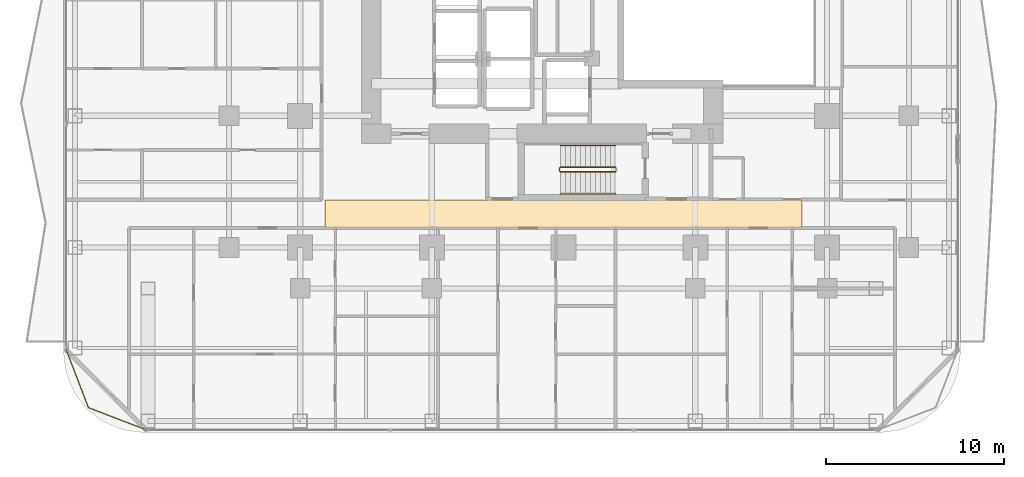
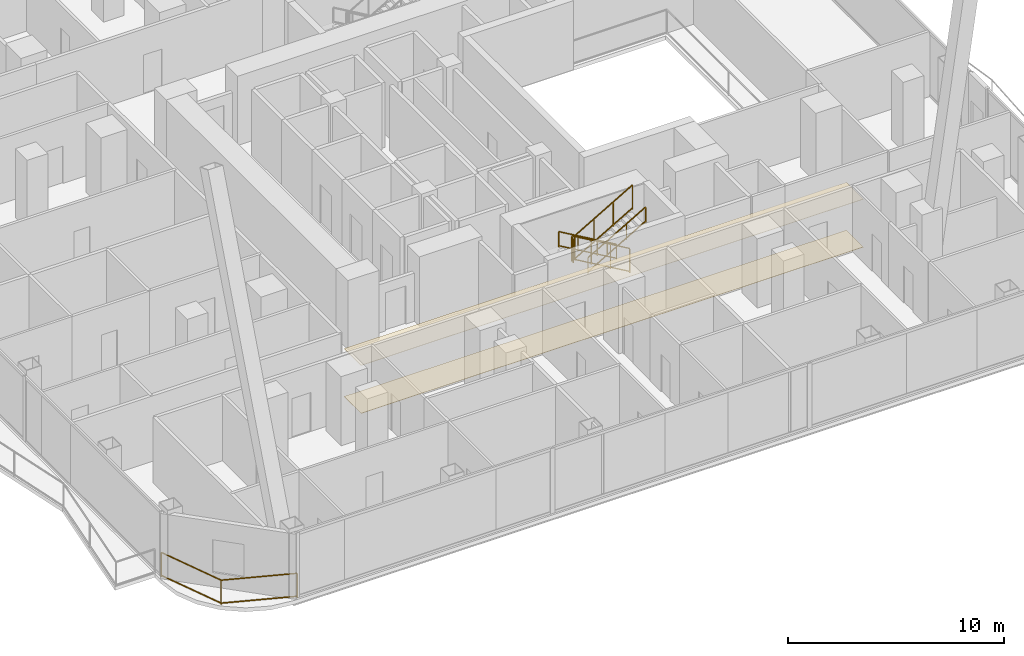
# One storey, part 29 of 33: 6 railings, 2 coverings.
"""IFC4 building model written with IfcOpenShell, lengths in metres."""

from ifc_helpers import new_model, si_unit, direction, frame, origin, origin_2d, place, context, subcontext, project, spatial, polyline, rectangle, outline, extrude, material, layer, layer_set, type_object, element, save


model = new_model("IFC4")

# Units and contexts
model_context = context("Model", 3, precision=1e-05, world=origin(), true_north=direction((0.0, 1.0)))
body_context = subcontext(model_context, "Body", "Model", "MODEL_VIEW")
ifc_project = project(units=[si_unit("LENGTHUNIT", "METRE"), si_unit("AREAUNIT", "SQUARE_METRE"), si_unit("VOLUMEUNIT", "CUBIC_METRE"), si_unit("PLANEANGLEUNIT", "RADIAN"), si_unit("MASSUNIT", "GRAM", prefix="KILO")], contexts=[model_context])

# Site, building, storey
site_placement = place(None, origin())
site = spatial("IfcSite", under=ifc_project, at=site_placement, CompositionType="ELEMENT")
building_placement = place(site_placement, origin())
building = spatial("IfcBuilding", under=site, at=building_placement, Name="Khorvyn Point Tower", CompositionType="ELEMENT")
storey_placement = place(building_placement, frame((0.0, 0.0, 65.699951171875)))
storey = spatial("IfcBuildingStorey", under=building, at=storey_placement, Name="L17", CompositionType="ELEMENT", Elevation=65.699951171875)

# Railing
ifc_material_1 = material(Name="Anodised aluminium 6063-T6 and laminated safety glass", Category="aluminium")
railing_type_1 = type_object("IfcRailingType", Name="Laminated Glass and Aluminium Balcony Guardrail 1400", PredefinedType="BALUSTRADE", material=ifc_material_1)
railing_1_placement = place(storey_placement, frame((-27.97412109375, -20.470703125, 0.0)))
element("IfcRailing", 1, at=railing_1_placement, inside=storey, type_object=railing_type_1, Name="L17 Rounded Corner Edge Guardrail SW", PredefinedType="BALUSTRADE", context=body_context, shape_type="SweptSolid", body=[
    extrude(rectangle(XDim=0.048095703125, YDim=0.048095703125, at=origin_2d()), frame((0.0, 0.0, 1.3759765625), z_axis=(0.35841886047, -0.933560882031, 0.0), x_axis=(0.933560882031, 0.35841886047, 0.0)), (0.0, 0.0, 1.0), 3.563232421875),
    extrude(rectangle(XDim=0.048095703125, YDim=0.048095703125, at=origin_2d()), frame((0.0, 0.0, 0.080078125), z_axis=(0.35841886047, -0.933560882031, 0.0), x_axis=(0.933560882031, 0.35841886047, 0.0)), (0.0, 0.0, 1.0), 3.563232421875),
    extrude(rectangle(XDim=0.048095703125, YDim=0.048095703125, at=origin_2d()), frame((1.277099609375, -3.326416015625, 1.3759765625), z_axis=(0.933575007025, -0.358382067435, 0.0), x_axis=(0.358382067435, 0.933575007025, 0.0)), (0.0, 0.0, 1.0), 3.562744140625),
    extrude(rectangle(XDim=0.048095703125, YDim=0.048095703125, at=origin_2d()), frame((1.277099609375, -3.326416015625, 0.080078125), z_axis=(0.933575007025, -0.358382067435, 0.0), x_axis=(0.358382067435, 0.933575007025, 0.0)), (0.0, 0.0, 1.0), 3.562744140625),
    extrude(rectangle(XDim=0.0419921875, YDim=0.0419921875, at=origin_2d()), origin(), (0.0, 0.0, 1.0), 1.351806640625),
    extrude(rectangle(XDim=0.0419921875, YDim=0.0419921875, at=origin_2d()), frame((1.277099609375, -3.326416015625, 0.0)), (0.0, 0.0, 1.0), 1.351806640625),
    extrude(rectangle(XDim=0.0419921875, YDim=0.0419921875, at=origin_2d()), frame((4.603271484375, -4.603271484375, 0.0)), (0.0, 0.0, 1.0), 1.351806640625),
])

# Coverings
ifc_material_2 = material(Name="Mineral-fibre acoustic ceiling board", Category="gypsum")
ifc_layer_1 = layer(ifc_material_2, 0.02001953125)
ifc_layer_set_1 = layer_set([ifc_layer_1], Name="Perforated Mineral-Fibre Acoustic Suspended Ceiling 20")
covering_type_1 = type_object("IfcCoveringType", Name="Perforated Mineral-Fibre Acoustic Suspended Ceiling 20", PredefinedType="CEILING", material=ifc_layer_set_1)
covering_1_placement = place(storey_placement, frame((0.0, 0.0, 2.699951171875)))
element("IfcCovering", 2, at=covering_1_placement, inside=storey, type_object=covering_type_1, Name="L17 South Corridor Acoustic Ceiling", PredefinedType="CEILING", context=body_context, shape_type="SweptSolid", body=[
    extrude(outline(polyline([(-13.39990234375, -13.7099609375), (13.39990234375, -13.7099609375), (13.39990234375, -12.139892578125), (-13.39990234375, -12.139892578125), (-13.39990234375, -13.7099609375)])), origin(), (0.0, 0.0, 1.0), 0.02001953125),
])
ifc_material_3 = material(Name="Vitrified porcelain terrazzo tile", Category="ceramic")
ifc_layer_2 = layer(ifc_material_3, 0.01806640625)
ifc_layer_set_2 = layer_set([ifc_layer_2], Name="Porcelain Terrazzo Corridor Floor Finish Tile 18")
covering_type_2 = type_object("IfcCoveringType", Name="Porcelain Terrazzo Corridor Floor Finish Tile 18", PredefinedType="FLOORING", material=ifc_layer_set_2)
covering_2_placement = place(storey_placement, origin())
element("IfcCovering", 3, at=covering_2_placement, inside=storey, type_object=covering_type_2, Name="L17 South Corridor Terrazzo Flooring", PredefinedType="FLOORING", context=body_context, shape_type="SweptSolid", body=[
    extrude(outline(polyline([(-13.39990234375, -13.7099609375), (13.39990234375, -13.7099609375), (13.39990234375, -12.139892578125), (-13.39990234375, -12.139892578125), (-13.39990234375, -13.7099609375)])), origin(), (0.0, 0.0, 1.0), 0.01806640625),
])

# Railings
ifc_material_4 = material(Name="Stainless steel 1.4301", Category="steel")
railing_type_2 = type_object("IfcRailingType", Name="Stainless Steel 304 Stair Pitch Handrail 900", PredefinedType="HANDRAIL", material=ifc_material_4)
railing_2_placement = place(storey_placement, frame((2.89990234375, -9.070068359375, 0.16259765625)))
element("IfcRailing", 4, at=railing_2_placement, inside=storey, type_object=railing_type_2, Name="L17 ST-01 stair handrail 1", PredefinedType="HANDRAIL", context=body_context, shape_type="SweptSolid", body=[
    extrude(rectangle(XDim=0.048095703125, YDim=0.048095703125, at=origin_2d()), frame((0.0, 0.0, 0.8759765625), z_axis=(-0.864903211148, 0.0, 0.501938676878), x_axis=(0.0, -1.0, 0.0)), (0.0, 0.0, 1.0), 3.560791015625),
    extrude(rectangle(XDim=0.048095703125, YDim=0.048095703125, at=origin_2d()), frame((0.0, 0.0, 0.080078125), z_axis=(-0.864903211148, 0.0, 0.501938676878), x_axis=(0.0, -1.0, 0.0)), (0.0, 0.0, 1.0), 3.560791015625),
    extrude(rectangle(XDim=0.0419921875, YDim=0.0419921875, at=origin_2d()), origin(), (0.0, 0.0, 1.0), 0.851806640625),
    extrude(rectangle(XDim=0.0419921875, YDim=0.0419921875, at=origin_2d()), frame((-1.026611328125, 0.0, 0.595703125)), (0.0, 0.0, 1.0), 0.851806640625),
    extrude(rectangle(XDim=0.0419921875, YDim=0.0419921875, at=origin_2d()), frame((-2.05322265625, 0.0, 1.191650390625)), (0.0, 0.0, 1.0), 0.851806640625),
    extrude(rectangle(XDim=0.0419921875, YDim=0.0419921875, at=origin_2d()), frame((-3.079833984375, 0.0, 1.787353515625)), (0.0, 0.0, 1.0), 0.851806640625),
])
railing_3_placement = place(storey_placement, frame((-0.179931640625, -11.77001953125, 2.112548828125)))
element("IfcRailing", 5, at=railing_3_placement, inside=storey, type_object=railing_type_2, Name="L17 ST-01 stair handrail 2", PredefinedType="HANDRAIL", context=body_context, shape_type="SweptSolid", body=[
    extrude(rectangle(XDim=0.048095703125, YDim=0.048095703125, at=origin_2d()), frame((0.0, 0.0, 0.8759765625), z_axis=(0.864873446163, 0.0, 0.501989962173), x_axis=(0.0, 1.0, 0.0)), (0.0, 0.0, 1.0), 3.56103515625),
    extrude(rectangle(XDim=0.048095703125, YDim=0.048095703125, at=origin_2d()), frame((0.0, 0.0, 0.080078125), z_axis=(0.864873446163, 0.0, 0.501989962173), x_axis=(0.0, 1.0, 0.0)), (0.0, 0.0, 1.0), 3.56103515625),
    extrude(rectangle(XDim=0.0419921875, YDim=0.0419921875, at=origin_2d()), origin(), (0.0, 0.0, 1.0), 0.851806640625),
    extrude(rectangle(XDim=0.0419921875, YDim=0.0419921875, at=origin_2d()), frame((1.026611328125, 0.0, 0.595947265625)), (0.0, 0.0, 1.0), 0.851806640625),
    extrude(rectangle(XDim=0.0419921875, YDim=0.0419921875, at=origin_2d()), frame((2.05322265625, 0.0, 1.191650390625)), (0.0, 0.0, 1.0), 0.851806640625),
    extrude(rectangle(XDim=0.0419921875, YDim=0.0419921875, at=origin_2d()), frame((3.079833984375, 0.0, 1.78759765625)), (0.0, 0.0, 1.0), 0.851806640625),
])
railing_type_3 = type_object("IfcRailingType", Name="Stainless Steel 304 Stair Well Guardrail 1400", PredefinedType="GUARDRAIL", material=ifc_material_4)
railing_4_placement = place(storey_placement, frame((2.89990234375, -10.2900390625, 0.16259765625)))
element("IfcRailing", 6, at=railing_4_placement, inside=storey, type_object=railing_type_3, Name="L17 ST-01 stair guard 1", PredefinedType="GUARDRAIL", context=body_context, shape_type="SweptSolid", body=[
    extrude(rectangle(XDim=0.048095703125, YDim=0.048095703125, at=origin_2d()), frame((0.0, 0.0, 1.3759765625), z_axis=(-0.864903211148, 0.0, 0.501938676878), x_axis=(0.0, -1.0, 0.0)), (0.0, 0.0, 1.0), 3.560791015625),
    extrude(rectangle(XDim=0.048095703125, YDim=0.048095703125, at=origin_2d()), frame((0.0, 0.0, 0.080078125), z_axis=(-0.864903211148, 0.0, 0.501938676878), x_axis=(0.0, -1.0, 0.0)), (0.0, 0.0, 1.0), 3.560791015625),
    extrude(rectangle(XDim=0.0419921875, YDim=0.0419921875, at=origin_2d()), origin(), (0.0, 0.0, 1.0), 1.351806640625),
    extrude(rectangle(XDim=0.0419921875, YDim=0.0419921875, at=origin_2d()), frame((-1.026611328125, 0.0, 0.595703125)), (0.0, 0.0, 1.0), 1.351806640625),
    extrude(rectangle(XDim=0.0419921875, YDim=0.0419921875, at=origin_2d()), frame((-2.05322265625, 0.0, 1.191650390625)), (0.0, 0.0, 1.0), 1.351806640625),
    extrude(rectangle(XDim=0.0419921875, YDim=0.0419921875, at=origin_2d()), frame((-3.079833984375, 0.0, 1.787353515625)), (0.0, 0.0, 1.0), 1.351806640625),
])
railing_5_placement = place(storey_placement, frame((-0.22998046875, -10.340087890625, 1.949951171875)))
element("IfcRailing", 7, at=railing_5_placement, inside=storey, type_object=railing_type_3, Name="L17 ST-01 stair guard 2", PredefinedType="GUARDRAIL", context=body_context, shape_type="SweptSolid", body=[
    extrude(rectangle(XDim=0.048095703125, YDim=0.048095703125, at=origin_2d()), frame((0.0, 0.0, 1.3759765625), z_axis=(0.0, -1.0, 0.0), x_axis=(1.0, 0.0, 0.0)), (0.0, 0.0, 1.0), 0.159912109375),
    extrude(rectangle(XDim=0.048095703125, YDim=0.048095703125, at=origin_2d()), frame((0.0, 0.0, 0.080078125), z_axis=(0.0, -1.0, 0.0), x_axis=(1.0, 0.0, 0.0)), (0.0, 0.0, 1.0), 0.159912109375),
    extrude(rectangle(XDim=0.0419921875, YDim=0.0419921875, at=origin_2d()), origin(), (0.0, 0.0, 1.0), 1.351806640625),
    extrude(rectangle(XDim=0.0419921875, YDim=0.0419921875, at=origin_2d()), frame((0.0, -0.159912109375, 0.0)), (0.0, 0.0, 1.0), 1.351806640625),
])
railing_6_placement = place(storey_placement, frame((-0.179931640625, -10.550048828125, 2.112548828125)))
element("IfcRailing", 8, at=railing_6_placement, inside=storey, type_object=railing_type_3, Name="L17 ST-01 stair guard 3", PredefinedType="GUARDRAIL", context=body_context, shape_type="SweptSolid", body=[
    extrude(rectangle(XDim=0.048095703125, YDim=0.048095703125, at=origin_2d()), frame((0.0, 0.0, 1.3759765625), z_axis=(0.864873446163, 0.0, 0.501989962173), x_axis=(0.0, 1.0, 0.0)), (0.0, 0.0, 1.0), 3.56103515625),
    extrude(rectangle(XDim=0.048095703125, YDim=0.048095703125, at=origin_2d()), frame((0.0, 0.0, 0.080078125), z_axis=(0.864873446163, 0.0, 0.501989962173), x_axis=(0.0, 1.0, 0.0)), (0.0, 0.0, 1.0), 3.56103515625),
    extrude(rectangle(XDim=0.0419921875, YDim=0.0419921875, at=origin_2d()), origin(), (0.0, 0.0, 1.0), 1.351806640625),
    extrude(rectangle(XDim=0.0419921875, YDim=0.0419921875, at=origin_2d()), frame((1.026611328125, 0.0, 0.595947265625)), (0.0, 0.0, 1.0), 1.351806640625),
    extrude(rectangle(XDim=0.0419921875, YDim=0.0419921875, at=origin_2d()), frame((2.05322265625, 0.0, 1.191650390625)), (0.0, 0.0, 1.0), 1.351806640625),
    extrude(rectangle(XDim=0.0419921875, YDim=0.0419921875, at=origin_2d()), frame((3.079833984375, 0.0, 1.78759765625)), (0.0, 0.0, 1.0), 1.351806640625),
])

save(model, "model.ifc")
